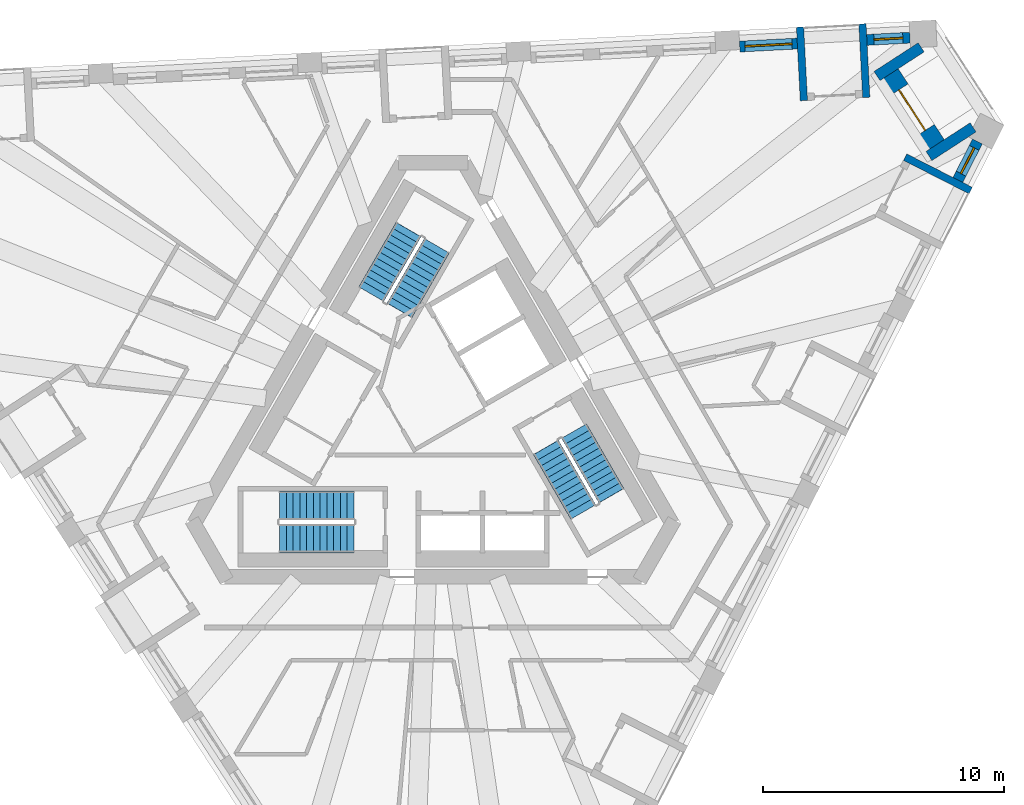
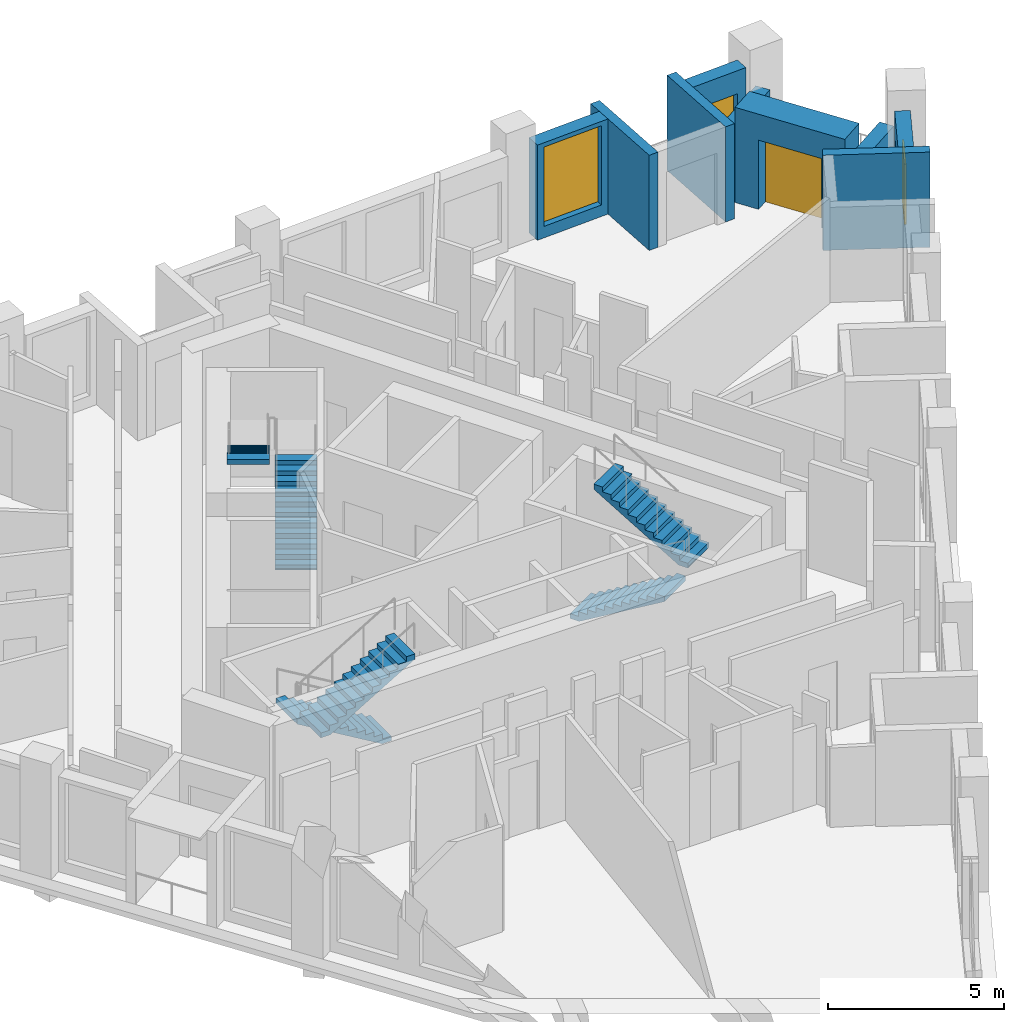
# One storey, part 9 of 13: 9 walls, 6 stair flights, 3 windows, 1 door, 4 openings, 3 elements without a shape of their own.
"""IFC4 building model written with IfcOpenShell, lengths in metres."""

from ifc_helpers import new_model, si_unit, direction, frame, frame_2d, origin, place, context, subcontext, project, spatial, polyline, rectangle, outline, extrude, material, layer, layer_set, type_object, element, fill, aggregate, save


model = new_model("IFC4")

# Units and contexts
model_context = context("Model", 3, precision=1e-05, world=origin(), true_north=direction((0.0, 1.0)))
body_context = subcontext(model_context, "Body", "Model", "MODEL_VIEW")
ifc_project = project(units=[si_unit("LENGTHUNIT", "METRE"), si_unit("AREAUNIT", "SQUARE_METRE"), si_unit("VOLUMEUNIT", "CUBIC_METRE"), si_unit("PLANEANGLEUNIT", "RADIAN"), si_unit("MASSUNIT", "GRAM", prefix="KILO")], contexts=[model_context])

# Site, building, storey
site_placement = place(None, origin())
site = spatial("IfcSite", under=ifc_project, at=site_placement, CompositionType="ELEMENT")
building_placement = place(site_placement, origin())
building = spatial("IfcBuilding", under=site, at=building_placement, Name="Tramontana Tower", CompositionType="ELEMENT")
storey_placement = place(building_placement, frame((0.0, 0.0, 294.39990234375)))
storey = spatial("IfcBuildingStorey", under=building, at=storey_placement, Name="L69", CompositionType="ELEMENT", Elevation=294.39990234375)

# Wall, opening, window
ifc_material_1 = material(Name="Precast concrete 60 MPa", Category="concrete")
ifc_layer_1 = layer(ifc_material_1, 0.449951171875)
ifc_layer_set_1 = layer_set([ifc_layer_1], Name="Precast concrete 60 MPa, 450 mm")
wall_type_1 = type_object("IfcWallType", Name="EW1 Stone-faced precast wall 450", PredefinedType="SOLIDWALL", material=ifc_layer_set_1)
wall_1_placement = place(storey_placement, frame((21.727783203125, 9.98828125, 0.0), z_axis=(0.0, 0.0, 1.0), x_axis=(0.454032211525, 0.890985269742, 0.0)))
wall_1 = element("IfcWall", 1, at=wall_1_placement, inside=storey, type_object=wall_type_1, Name="External wall L69 face 1 bay 5", PredefinedType="SOLIDWALL", context=body_context, shape_type="SweptSolid", body=[
    extrude(rectangle(XDim=1.786865234375, YDim=0.449951171875, at=frame_2d((0.8935546875, 0.0))), origin(), (0.0, 0.0, 1.0), 3.300048828125),
])
opening_1_placement = place(wall_1_placement, frame((0.29345703125, 0.0, 0.39990234375)))
opening_1 = element("IfcOpeningElement", 2, at=opening_1_placement, cuts=wall_1, Name="Opening N3L", PredefinedType="OPENING", context=body_context, shape_type="SweptSolid", body=[
    extrude(rectangle(XDim=1.199951171875, YDim=2.10009765625, at=frame_2d((0.60009765625, 1.050048828125))), frame((0.0, 0.23486328125, 0.0), z_axis=(0.0, -1.0, 0.0), x_axis=(1.0, 0.0, 0.0)), (0.0, 0.0, 1.0), 0.469970703125),
])
ifc_material_2 = material(Name="Aluminum frame, double glazing unit", Category="aluminium")
window_type_1 = type_object("IfcWindowType", Name="N3L Window 1.2 x 2.1", PartitioningType="SINGLE_PANEL", PredefinedType="WINDOW", material=ifc_material_2)
window_1_placement = place(opening_1_placement, origin())
window_1 = element("IfcWindow", 3, at=window_1_placement, inside=storey, type_object=window_type_1, Name="Window N3L L69 face 1 module 15", OverallHeight=2.10009765625, OverallWidth=1.199951171875, PartitioningType="SINGLE_PANEL", PredefinedType="WINDOW", context=body_context, shape_type="SweptSolid", body=[
    extrude(rectangle(XDim=1.199951171875, YDim=2.10009765625, at=frame_2d((0.60009765625, 1.050048828125))), frame((0.0, 0.030029296875, 0.0), z_axis=(0.0, -1.0, 0.0), x_axis=(1.0, 0.0, 0.0)), (0.0, 0.0, 1.0), 0.06005859375),
])
fill(opening_1, window_1)

wall_2_placement = place(storey_placement, frame((19.74658203125, 15.880126953125, 0.0), z_axis=(0.0, 0.0, 1.0), x_axis=(-0.998629506551, -0.052336494391, 0.0)))
wall_2 = element("IfcWall", 4, at=wall_2_placement, inside=storey, type_object=wall_type_1, Name="External wall L69 face 2 bay 1", PredefinedType="SOLIDWALL", context=body_context, shape_type="SweptSolid", body=[
    extrude(rectangle(XDim=1.78662109375, YDim=0.449951171875, at=frame_2d((0.893310546875, 0.0))), origin(), (0.0, 0.0, 1.0), 3.300048828125),
])
opening_2_placement = place(wall_2_placement, frame((0.29345703125, 0.0, 0.39990234375)))
opening_2 = element("IfcOpeningElement", 5, at=opening_2_placement, cuts=wall_2, Name="Opening N3L", PredefinedType="OPENING", context=body_context, shape_type="SweptSolid", body=[
    extrude(rectangle(XDim=1.199951171875, YDim=2.10009765625, at=frame_2d((0.60009765625, 1.050048828125))), frame((0.0, 0.23486328125, 0.0), z_axis=(0.0, -1.0, 0.0), x_axis=(1.0, 0.0, 0.0)), (0.0, 0.0, 1.0), 0.469970703125),
])
window_2_placement = place(opening_2_placement, origin())
window_2 = element("IfcWindow", 6, at=window_2_placement, inside=storey, type_object=window_type_1, Name="Window N3L L69 face 2 module 1", OverallHeight=2.10009765625, OverallWidth=1.199951171875, PartitioningType="SINGLE_PANEL", PredefinedType="WINDOW", context=body_context, shape_type="SweptSolid", body=[
    extrude(rectangle(XDim=1.199951171875, YDim=2.10009765625, at=frame_2d((0.60009765625, 1.050048828125))), frame((0.0, 0.030029296875, 0.0), z_axis=(0.0, -1.0, 0.0), x_axis=(1.0, 0.0, 0.0)), (0.0, 0.0, 1.0), 0.06005859375),
])
fill(opening_2, window_2)

wall_3_placement = place(storey_placement, frame((15.07958984375, 15.6357421875, 0.0), z_axis=(0.0, 0.0, 1.0), x_axis=(-0.998627701279, -0.052370929331, 0.0)))
wall_3 = element("IfcWall", 7, at=wall_3_placement, inside=storey, type_object=wall_type_1, Name="External wall L69 face 2 bay 1", PredefinedType="SOLIDWALL", context=body_context, shape_type="SweptSolid", body=[
    extrude(rectangle(XDim=2.38671875, YDim=0.449951171875, at=frame_2d((1.193359375, 0.0))), origin(), (0.0, 0.0, 1.0), 3.300048828125),
])
opening_3_placement = place(wall_3_placement, frame((0.21826171875, 0.0, 0.39990234375)))
opening_3 = element("IfcOpeningElement", 8, at=opening_3_placement, cuts=wall_3, Name="Opening M3", PredefinedType="OPENING", context=body_context, shape_type="SweptSolid", body=[
    extrude(rectangle(XDim=1.949951171875, YDim=2.75, at=frame_2d((0.97509765625, 1.375))), frame((0.0, 0.23486328125, 0.0), z_axis=(0.0, -1.0, 0.0), x_axis=(1.0, 0.0, 0.0)), (0.0, 0.0, 1.0), 0.469970703125),
])
ifc_material_3 = material(Name="Aluminum frame, double glazing unit", Category="aluminium")
window_type_2 = type_object("IfcWindowType", Name="M3 Window 1.95 x 2.75", PartitioningType="SINGLE_PANEL", PredefinedType="WINDOW", material=ifc_material_3)
window_3_placement = place(opening_3_placement, origin())
window_3 = element("IfcWindow", 9, at=window_3_placement, inside=storey, type_object=window_type_2, Name="Window M3 L69 face 2 module 3", OverallHeight=2.75, OverallWidth=1.949951171875, PartitioningType="SINGLE_PANEL", PredefinedType="WINDOW", context=body_context, shape_type="SweptSolid", body=[
    extrude(rectangle(XDim=1.949951171875, YDim=2.75, at=frame_2d((0.97509765625, 1.375))), frame((0.0, 0.030029296875, 0.0), z_axis=(0.0, -1.0, 0.0), x_axis=(1.0, 0.0, 0.0)), (0.0, 0.0, 1.0), 0.06005859375),
])
fill(opening_3, window_3)

# Walls
for number, where, z_axis, x_axis, name in (
    (10, (20.209228515625, 15.478759765625, 0.0), (0.0, 0.0, 1.0), (-0.838694375731, -0.544602372486, 0.0), "Corner loggia side wall L69 K72l"),
    (11, (22.3603515625, 12.166015625, 0.0), (0.0, 0.0, 1.0), (-0.838694375731, -0.544602372486, 0.0), "Corner loggia side wall L69 K72r"),
):
    element("IfcWall", number, at=place(storey_placement, frame(where, z_axis=z_axis, x_axis=x_axis)), inside=storey, type_object=wall_type_1, Name=name, PredefinedType="SOLIDWALL", context=body_context, shape_type="SweptSolid", body=[
        extrude(rectangle(XDim=2.17919921875, YDim=0.449951171875, at=frame_2d((1.089599609375, 0.0))), origin(), (0.0, 0.0, 1.0), 2.550048828125),
    ])

# Wall, opening, door
ifc_material_4 = material(Name="Precast concrete 60 MPa", Category="concrete")
ifc_layer_2 = layer(ifc_material_4, 0.89990234375)
ifc_layer_set_2 = layer_set([ifc_layer_2], Name="EW2 Stone-faced corner loggia wall 900")
wall_type_2 = type_object("IfcWallType", Name="EW2 Stone-faced corner loggia wall 900", PredefinedType="SOLIDWALL", material=ifc_layer_set_2)
wall_4_placement = place(storey_placement, frame((18.88134765625, 14.348388671875, 0.0), z_axis=(0.0, 0.0, 1.0), x_axis=(0.544647498784, -0.838665071449, 0.0)))
wall_4 = element("IfcWall", 12, at=wall_4_placement, inside=storey, type_object=wall_type_2, Name="Corner loggia wall L69 K72", PredefinedType="SOLIDWALL", context=body_context, shape_type="SweptSolid", body=[
    extrude(rectangle(XDim=3.5, YDim=0.89990234375, at=frame_2d((1.75, 0.0))), origin(), (0.0, 0.0, 1.0), 3.300048828125),
])
opening_4_placement = place(wall_4_placement, frame((0.75, 0.0, 0.0)))
opening_4 = element("IfcOpeningElement", 13, at=opening_4_placement, cuts=wall_4, Name="Opening BD-72C", PredefinedType="OPENING", context=body_context, shape_type="SweptSolid", body=[
    extrude(rectangle(XDim=2.0, YDim=2.39990234375, at=frame_2d((1.0, 1.199951171875))), frame((0.0, 0.4599609375, 0.0), z_axis=(0.0, -1.0, 0.0), x_axis=(1.0, 0.0, 0.0)), (0.0, 0.0, 1.0), 0.919921875),
])
ifc_material_5 = material(Name="Aluminum frame, double glazing unit", Category="aluminium")
door_type = type_object("IfcDoorType", Name="BC1 Sliding door 2 x 2.4", OperationType="SLIDING_TO_LEFT", PredefinedType="DOOR", material=ifc_material_5)
door_placement = place(opening_4_placement, origin())
door = element("IfcDoor", 14, at=door_placement, inside=storey, type_object=door_type, Name="Corner loggia door L69 K72", OperationType="SLIDING_TO_LEFT", OverallHeight=2.39990234375, OverallWidth=2.0, PredefinedType="DOOR", context=body_context, shape_type="SweptSolid", body=[
    extrude(rectangle(XDim=2.0, YDim=2.39990234375, at=frame_2d((1.0, 1.199951171875))), frame((0.0, 0.02490234375, 0.0), z_axis=(0.0, -1.0, 0.0), x_axis=(1.0, 0.0, 0.0)), (0.0, 0.0, 1.0), 0.050048828125),
])
fill(opening_4, door)

# Walls
ifc_material_6 = material(Name="Precast concrete 60 MPa", Category="concrete")
ifc_layer_3 = layer(ifc_material_6, 0.300048828125)
ifc_layer_set_3 = layer_set([ifc_layer_3], Name="LW1 Stone-faced loggia wall 300")
wall_type_3 = type_object("IfcWallType", Name="LW1 Stone-faced loggia wall 300", PredefinedType="SOLIDWALL", material=ifc_layer_set_3)
wall_5_placement = place(storey_placement, frame((22.26123046875, 9.54833984375, 0.0), z_axis=(0.0, 0.0, 1.0), x_axis=(-0.891040107702, 0.453924582355, 0.0)))
element("IfcWall", 15, at=wall_5_placement, inside=storey, type_object=wall_type_3, Name="Loggia return L69 G7S1.13b", PredefinedType="SOLIDWALL", context=body_context, shape_type="SweptSolid", body=[
    extrude(rectangle(XDim=3.050048828125, YDim=0.300048828125, at=frame_2d((1.52490234375, 0.0))), origin(), (0.0, 0.0, 1.0), 3.300048828125),
])
wall_6_placement = place(storey_placement, frame((17.777099609375, 16.452880859375, 0.0), z_axis=(0.0, 0.0, 1.0), x_axis=(0.052352956549, -0.998628643661, 0.0)))
element("IfcWall", 16, at=wall_6_placement, inside=storey, type_object=wall_type_3, Name="Loggia return L69 G7S2.1a", PredefinedType="SOLIDWALL", context=body_context, shape_type="SweptSolid", body=[
    extrude(rectangle(XDim=3.0498046875, YDim=0.300048828125, at=frame_2d((1.52490234375, 0.0))), origin(), (0.0, 0.0, 1.0), 3.300048828125),
])
wall_7_placement = place(storey_placement, frame((15.19384765625, 16.317626953125, 0.0), z_axis=(0.0, 0.0, 1.0), x_axis=(0.052348771756, -0.99862886304, 0.0)))
element("IfcWall", 17, at=wall_7_placement, inside=storey, type_object=wall_type_3, Name="Loggia return L69 G7S2.1b", PredefinedType="SOLIDWALL", context=body_context, shape_type="SweptSolid", body=[
    extrude(rectangle(XDim=3.050048828125, YDim=0.300048828125, at=frame_2d((1.52490234375, 0.0))), origin(), (0.0, 0.0, 1.0), 3.300048828125),
])

# Stair, stair flights
ifc_material_7 = material(Name="Concrete 40 MPa", Category="concrete")
stair_type = type_object("IfcStairType", Name="EXIT STAIR 24 RISERS", PredefinedType="HALF_TURN_STAIR", material=ifc_material_7)
stair_1_placement = place(storey_placement, origin())
stair_1 = element("IfcStair", 18, at=stair_1_placement, inside=storey, type_object=stair_type, Name="L69 Exit stair ST1", PredefinedType="HALF_TURN_STAIR")
ifc_material_8 = material(Name="Concrete 40 MPa", Category="concrete")
ifc_layer_4 = layer(ifc_material_8, 0.14990234375)
ifc_layer_set_4 = layer_set([ifc_layer_4], Name="EXIT STAIR FLIGHT")
stair_flight_type = type_object("IfcStairFlightType", Name="EXIT STAIR FLIGHT", PredefinedType="STRAIGHT", material=ifc_layer_set_4)
stair_flight_1_placement = place(storey_placement, frame((-1.39111328125, 4.590576171875, 0.0), z_axis=(0.0, 0.0, 1.0), x_axis=(0.5, 0.866025403784, 0.0)))
stair_flight_1 = element("IfcStairFlight", 19, at=stair_flight_1_placement, type_object=stair_flight_type, Name="ST1 flight 1", NumberOfRisers=12, NumberOfTreads=11, PredefinedType="STRAIGHT", RiserHeight=0.166666667, TreadLength=0.28, context=body_context, shape_type="SweptSolid", body=[
    extrude(outline(polyline([(-0.006103515625, 0.0), (-0.006103515625, 0.0400390625), (0.0, 0.0400390625), (0.0, 0.166748046875), (0.280029296875, 0.166748046875), (0.280029296875, 0.333251953125), (0.56005859375, 0.333251953125), (0.56005859375, 0.5), (0.840087890625, 0.5), (0.840087890625, 0.666748046875), (1.1201171875, 0.666748046875), (1.1201171875, 0.833251953125), (1.39990234375, 0.833251953125), (1.39990234375, 1.0), (1.679931640625, 1.0), (1.679931640625, 1.166748046875), (1.9599609375, 1.166748046875), (1.9599609375, 1.333251953125), (2.239990234375, 1.333251953125), (2.239990234375, 1.5), (2.52001953125, 1.5), (2.52001953125, 1.666748046875), (2.800048828125, 1.666748046875), (2.800048828125, 1.833251953125), (3.080078125, 1.833251953125), (3.0859375, 1.833251953125), (3.0859375, 1.658935546875), (0.299072265625, 0.0), (-0.006103515625, 0.0)])), frame((0.0, 0.60009765625, 0.0), z_axis=(0.0, -1.0, 0.0), x_axis=(1.0, 0.0, 0.0)), (0.0, 0.0, 1.0), 1.199951171875),
])
stair_flight_2_placement = place(storey_placement, frame((-1.020263671875, 7.932861328125, 2.0), z_axis=(0.0, 0.0, 1.0), x_axis=(-0.5, -0.866025403784, 0.0)))
stair_flight_2 = element("IfcStairFlight", 20, at=stair_flight_2_placement, type_object=stair_flight_type, Name="ST1 flight 2", NumberOfRisers=12, NumberOfTreads=11, PredefinedType="STRAIGHT", RiserHeight=0.166666667, TreadLength=0.28, context=body_context, shape_type="SweptSolid", body=[
    extrude(outline(polyline([(-0.006103515625, 0.0), (-0.006103515625, 0.0400390625), (0.0, 0.0400390625), (0.0, 0.166748046875), (0.280029296875, 0.166748046875), (0.280029296875, 0.333251953125), (0.56005859375, 0.333251953125), (0.56005859375, 0.5), (0.840087890625, 0.5), (0.840087890625, 0.666748046875), (1.1201171875, 0.666748046875), (1.1201171875, 0.833251953125), (1.39990234375, 0.833251953125), (1.39990234375, 1.0), (1.679931640625, 1.0), (1.679931640625, 1.166748046875), (1.9599609375, 1.166748046875), (1.9599609375, 1.333251953125), (2.239990234375, 1.333251953125), (2.239990234375, 1.5), (2.52001953125, 1.5), (2.52001953125, 1.666748046875), (2.800048828125, 1.666748046875), (2.800048828125, 1.833251953125), (3.080078125, 1.833251953125), (3.0859375, 1.833251953125), (3.0859375, 1.658935546875), (0.299072265625, 0.0), (-0.006103515625, 0.0)])), frame((0.0, 0.60009765625, 0.0), z_axis=(0.0, -1.0, 0.0), x_axis=(1.0, 0.0, 0.0)), (0.0, 0.0, 1.0), 1.199951171875),
])
aggregate(stair_1, [stair_flight_1, stair_flight_2])

stair_2_placement = place(storey_placement, origin())
stair_2 = element("IfcStair", 21, at=stair_2_placement, inside=storey, type_object=stair_type, Name="L69 Exit stair ST2", PredefinedType="HALF_TURN_STAIR")
stair_flight_3_placement = place(storey_placement, frame((-3.280029296875, -3.5, 0.0), z_axis=(0.0, 0.0, 1.0), x_axis=(-1.0, 0.0, 0.0)))
stair_flight_3 = element("IfcStairFlight", 22, at=stair_flight_3_placement, type_object=stair_flight_type, Name="ST2 flight 1", NumberOfRisers=12, NumberOfTreads=11, PredefinedType="STRAIGHT", RiserHeight=0.166666667, TreadLength=0.28, context=body_context, shape_type="SweptSolid", body=[
    extrude(outline(polyline([(-0.006103515625, 0.0), (-0.006103515625, 0.0400390625), (0.0, 0.0400390625), (0.0, 0.166748046875), (0.280029296875, 0.166748046875), (0.280029296875, 0.333251953125), (0.56005859375, 0.333251953125), (0.56005859375, 0.5), (0.840087890625, 0.5), (0.840087890625, 0.666748046875), (1.1201171875, 0.666748046875), (1.1201171875, 0.833251953125), (1.39990234375, 0.833251953125), (1.39990234375, 1.0), (1.679931640625, 1.0), (1.679931640625, 1.166748046875), (1.9599609375, 1.166748046875), (1.9599609375, 1.333251953125), (2.239990234375, 1.333251953125), (2.239990234375, 1.5), (2.52001953125, 1.5), (2.52001953125, 1.666748046875), (2.800048828125, 1.666748046875), (2.800048828125, 1.833251953125), (3.080078125, 1.833251953125), (3.0859375, 1.833251953125), (3.0859375, 1.658935546875), (0.299072265625, 0.0), (-0.006103515625, 0.0)])), frame((0.0, 0.60009765625, 0.0), z_axis=(0.0, -1.0, 0.0), x_axis=(1.0, 0.0, 0.0)), (0.0, 0.0, 1.0), 1.199951171875),
])
stair_flight_4_placement = place(storey_placement, frame((-6.360107421875, -4.85009765625, 2.0), z_axis=(0.0, 0.0, 1.0), x_axis=(1.0, 0.0, 0.0)))
stair_flight_4 = element("IfcStairFlight", 23, at=stair_flight_4_placement, type_object=stair_flight_type, Name="ST2 flight 2", NumberOfRisers=12, NumberOfTreads=11, PredefinedType="STRAIGHT", RiserHeight=0.166666667, TreadLength=0.28, context=body_context, shape_type="SweptSolid", body=[
    extrude(outline(polyline([(-0.006103515625, 0.0), (-0.006103515625, 0.0400390625), (0.0, 0.0400390625), (0.0, 0.166748046875), (0.280029296875, 0.166748046875), (0.280029296875, 0.333251953125), (0.56005859375, 0.333251953125), (0.56005859375, 0.5), (0.840087890625, 0.5), (0.840087890625, 0.666748046875), (1.1201171875, 0.666748046875), (1.1201171875, 0.833251953125), (1.39990234375, 0.833251953125), (1.39990234375, 1.0), (1.679931640625, 1.0), (1.679931640625, 1.166748046875), (1.9599609375, 1.166748046875), (1.9599609375, 1.333251953125), (2.239990234375, 1.333251953125), (2.239990234375, 1.5), (2.52001953125, 1.5), (2.52001953125, 1.666748046875), (2.800048828125, 1.666748046875), (2.800048828125, 1.833251953125), (3.080078125, 1.833251953125), (3.0859375, 1.833251953125), (3.0859375, 1.658935546875), (0.299072265625, 0.0), (-0.006103515625, 0.0)])), frame((0.0, 0.60009765625, 0.0), z_axis=(0.0, -1.0, 0.0), x_axis=(1.0, 0.0, 0.0)), (0.0, 0.0, 1.0), 1.199951171875),
])
aggregate(stair_2, [stair_flight_3, stair_flight_4])

stair_3_placement = place(storey_placement, origin())
stair_3 = element("IfcStair", 24, at=stair_3_placement, inside=storey, type_object=stair_type, Name="L69 Exit stair ST3", PredefinedType="HALF_TURN_STAIR")
stair_flight_5_placement = place(storey_placement, frame((4.671142578125, -1.090576171875, 0.0), z_axis=(0.0, 0.0, 1.0), x_axis=(0.5, -0.866025403784, 0.0)))
stair_flight_5 = element("IfcStairFlight", 25, at=stair_flight_5_placement, type_object=stair_flight_type, Name="ST3 flight 1", NumberOfRisers=12, NumberOfTreads=11, PredefinedType="STRAIGHT", RiserHeight=0.166666667, TreadLength=0.28, context=body_context, shape_type="SweptSolid", body=[
    extrude(outline(polyline([(-0.006103515625, 0.0), (-0.006103515625, 0.0400390625), (0.0, 0.0400390625), (0.0, 0.166748046875), (0.280029296875, 0.166748046875), (0.280029296875, 0.333251953125), (0.56005859375, 0.333251953125), (0.56005859375, 0.5), (0.840087890625, 0.5), (0.840087890625, 0.666748046875), (1.1201171875, 0.666748046875), (1.1201171875, 0.833251953125), (1.39990234375, 0.833251953125), (1.39990234375, 1.0), (1.679931640625, 1.0), (1.679931640625, 1.166748046875), (1.9599609375, 1.166748046875), (1.9599609375, 1.333251953125), (2.239990234375, 1.333251953125), (2.239990234375, 1.5), (2.52001953125, 1.5), (2.52001953125, 1.666748046875), (2.800048828125, 1.666748046875), (2.800048828125, 1.833251953125), (3.080078125, 1.833251953125), (3.0859375, 1.833251953125), (3.0859375, 1.658935546875), (0.299072265625, 0.0), (-0.006103515625, 0.0)])), frame((0.0, 0.60009765625, 0.0), z_axis=(0.0, -1.0, 0.0), x_axis=(1.0, 0.0, 0.0)), (0.0, 0.0, 1.0), 1.199951171875),
])
stair_flight_6_placement = place(storey_placement, frame((7.380126953125, -3.0830078125, 2.0), z_axis=(0.0, 0.0, 1.0), x_axis=(-0.5, 0.866025403784, 0.0)))
stair_flight_6 = element("IfcStairFlight", 26, at=stair_flight_6_placement, type_object=stair_flight_type, Name="ST3 flight 2", NumberOfRisers=12, NumberOfTreads=11, PredefinedType="STRAIGHT", RiserHeight=0.166666667, TreadLength=0.28, context=body_context, shape_type="SweptSolid", body=[
    extrude(outline(polyline([(-0.006103515625, 0.0), (-0.006103515625, 0.0400390625), (0.0, 0.0400390625), (0.0, 0.166748046875), (0.280029296875, 0.166748046875), (0.280029296875, 0.333251953125), (0.56005859375, 0.333251953125), (0.56005859375, 0.5), (0.840087890625, 0.5), (0.840087890625, 0.666748046875), (1.1201171875, 0.666748046875), (1.1201171875, 0.833251953125), (1.39990234375, 0.833251953125), (1.39990234375, 1.0), (1.679931640625, 1.0), (1.679931640625, 1.166748046875), (1.9599609375, 1.166748046875), (1.9599609375, 1.333251953125), (2.239990234375, 1.333251953125), (2.239990234375, 1.5), (2.52001953125, 1.5), (2.52001953125, 1.666748046875), (2.800048828125, 1.666748046875), (2.800048828125, 1.833251953125), (3.080078125, 1.833251953125), (3.0859375, 1.833251953125), (3.0859375, 1.658935546875), (0.299072265625, 0.0), (-0.006103515625, 0.0)])), frame((0.0, 0.60009765625, 0.0), z_axis=(0.0, -1.0, 0.0), x_axis=(1.0, 0.0, 0.0)), (0.0, 0.0, 1.0), 1.199951171875),
])
aggregate(stair_3, [stair_flight_5, stair_flight_6])

save(model, "model.ifc")
